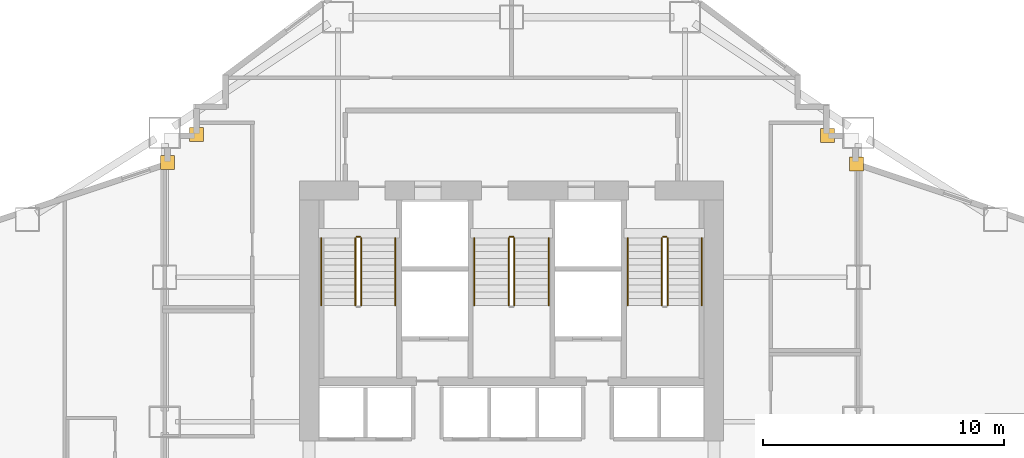
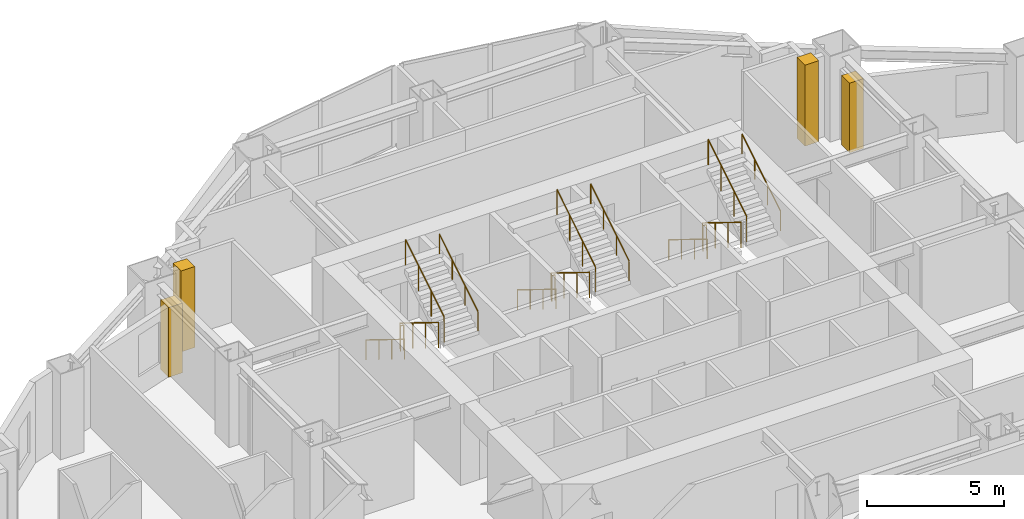
# One storey, part 16 of 17: 15 railings, 4 coverings.
"""IFC4 building model written with IfcOpenShell, lengths in metres."""

from ifc_helpers import new_model, si_unit, direction, frame, origin, origin_2d, place, context, subcontext, project, spatial, rectangle, circle, extrude, material, layer, layer_set, type_object, element, save


model = new_model("IFC4")

# Units and contexts
model_context = context("Model", 3, precision=1e-05, world=origin(), true_north=direction((0.0, 1.0)))
body_context = subcontext(model_context, "Body", "Model", "MODEL_VIEW")
ifc_project = project(units=[si_unit("LENGTHUNIT", "METRE"), si_unit("AREAUNIT", "SQUARE_METRE"), si_unit("VOLUMEUNIT", "CUBIC_METRE"), si_unit("PLANEANGLEUNIT", "RADIAN"), si_unit("MASSUNIT", "GRAM", prefix="KILO")], contexts=[model_context])

# Site, building, storey
site_placement = place(None, origin())
site = spatial("IfcSite", under=ifc_project, at=site_placement, CompositionType="ELEMENT")
building_placement = place(site_placement, origin())
building = spatial("IfcBuilding", under=site, at=building_placement, Name="Haolan Belvedere Tower", CompositionType="ELEMENT")
storey_placement = place(building_placement, frame((0.0, 0.0, 27.800048828125)))
storey = spatial("IfcBuildingStorey", under=building, at=storey_placement, Name="L06", CompositionType="ELEMENT", Elevation=27.800048828125)

# Coverings
ifc_material_1 = material(Name="Pale champagne-silver anodised aluminium rainscreen cladding", Category="aluminium")
ifc_layer = layer(ifc_material_1, 0.034912109375, Name="Pale champagne-silver anodised aluminium rainscreen cladding")
ifc_layer_set = layer_set([ifc_layer], Name="Pale champagne-silver anodised aluminium rainscreen cladding")
covering_type = type_object("IfcCoveringType", Name="COV-CLAD-35", PredefinedType="CLADDING", material=ifc_layer_set)
covering_1_placement = place(storey_placement, frame((52.72021484375, 44.300048828125, 0.0), z_axis=(0.0, 0.0, 1.0), x_axis=(1.0, 0.0, 0.0)))
element("IfcCovering", 1, at=covering_1_placement, inside=storey, type_object=covering_type, Name="L06 pale-metal serrated corner cladding trim 9", PredefinedType="CLADDING", context=body_context, shape_type="SweptSolid", body=[
    extrude(rectangle(XDim=0.580078125, YDim=0.580078125, at=origin_2d()), origin(), (0.0, 0.0, 1.0), 3.096923828125),
])
for number, where, z_axis, x_axis, name in (
    (2, (51.5224609375, 45.47998046875, 0.0), (0.0, 0.0, 1.0), (1.0, 0.0, 0.0), "L06 pale-metal serrated corner cladding trim 10"),
    (3, (25.320068359375, 45.5224609375, 0.0), (0.0, 0.0, 1.0), (1.0, 0.0, 0.0), "L06 pale-metal serrated corner cladding trim 11"),
):
    element("IfcCovering", number, at=place(storey_placement, frame(where, z_axis=z_axis, x_axis=x_axis)), inside=storey, type_object=covering_type, Name=name, PredefinedType="CLADDING", context=body_context, shape_type="SweptSolid", body=[
        extrude(rectangle(XDim=0.580078125, YDim=0.580078125, at=origin_2d()), origin(), (0.0, 0.0, 1.0), 3.60009765625),
    ])
covering_2_placement = place(storey_placement, frame((24.1201171875, 44.35595703125, 0.0), z_axis=(0.0, 0.0, 1.0), x_axis=(1.0, 0.0, 0.0)))
element("IfcCovering", 4, at=covering_2_placement, inside=storey, type_object=covering_type, Name="L06 pale-metal serrated corner cladding trim 12", PredefinedType="CLADDING", context=body_context, shape_type="SweptSolid", body=[
    extrude(rectangle(XDim=0.580078125, YDim=0.580078125, at=origin_2d()), origin(), (0.0, 0.0, 1.0), 3.096923828125),
])

# Railings
ifc_material_2 = material(Name="Brushed stainless steel 304", Category="steel")
railing_type_1 = type_object("IfcRailingType", Name="RL-STAIR-GRD-1150", PredefinedType="GUARDRAIL", material=ifc_material_2)
railing_1_placement = place(storey_placement, frame((31.919921875, 41.22998046875, 0.172607421875)))
element("IfcRailing", 5, at=railing_1_placement, inside=storey, type_object=railing_type_1, Name="L06 ST1 stair guard 1", PredefinedType="GUARDRAIL", context=body_context, shape_type="SweptSolid", body=[
    extrude(circle(Radius=0.02392578125, at=origin_2d()), frame((0.0, 0.0, 1.1259765625), z_axis=(0.0, -0.851089632645, 0.525020415988), x_axis=(1.0, 0.0, 0.0)), (0.0, 0.0, 1.0), 3.2900390625),
    extrude(circle(Radius=0.02099609375, at=origin_2d()), origin(), (0.0, 0.0, 1.0), 1.101806640625),
    extrude(circle(Radius=0.02099609375, at=origin_2d()), frame((0.0, -0.933349609375, 0.57568359375)), (0.0, 0.0, 1.0), 1.101806640625),
    extrude(circle(Radius=0.02099609375, at=origin_2d()), frame((0.0, -1.86669921875, 1.151611328125)), (0.0, 0.0, 1.0), 1.101806640625),
    extrude(circle(Radius=0.02099609375, at=origin_2d()), frame((0.0, -2.800048828125, 1.727294921875)), (0.0, 0.0, 1.0), 1.101806640625),
])
railing_2_placement = place(storey_placement, frame((32.159912109375, 38.429931640625, 2.07275390625)))
element("IfcRailing", 6, at=railing_2_placement, inside=storey, type_object=railing_type_1, Name="L06 ST1 stair guard 3", PredefinedType="GUARDRAIL", context=body_context, shape_type="SweptSolid", body=[
    extrude(circle(Radius=0.02392578125, at=origin_2d()), frame((0.0, 0.0, 1.1259765625), z_axis=(0.0, 0.851089632645, 0.525020415988), x_axis=(-1.0, 0.0, 0.0)), (0.0, 0.0, 1.0), 3.2900390625),
    extrude(circle(Radius=0.02099609375, at=origin_2d()), origin(), (0.0, 0.0, 1.0), 1.101806640625),
    extrude(circle(Radius=0.02099609375, at=origin_2d()), frame((0.0, 0.933349609375, 0.57568359375)), (0.0, 0.0, 1.0), 1.101806640625),
    extrude(circle(Radius=0.02099609375, at=origin_2d()), frame((0.0, 1.86669921875, 1.151611328125)), (0.0, 0.0, 1.0), 1.101806640625),
    extrude(circle(Radius=0.02099609375, at=origin_2d()), frame((0.0, 2.800048828125, 1.727294921875)), (0.0, 0.0, 1.0), 1.101806640625),
])
railing_3_placement = place(storey_placement, frame((31.969970703125, 41.280029296875, 0.0)))
element("IfcRailing", 7, at=railing_3_placement, inside=storey, type_object=railing_type_1, Name="L06 ST1 stair guard 4", PredefinedType="GUARDRAIL", context=body_context, shape_type="SweptSolid", body=[
    extrude(circle(Radius=0.02392578125, at=origin_2d()), frame((0.0, 0.0, 1.1259765625), z_axis=(1.0, 0.0, 0.0), x_axis=(0.0, 1.0, 0.0)), (0.0, 0.0, 1.0), 0.14013671875),
    extrude(circle(Radius=0.02099609375, at=origin_2d()), origin(), (0.0, 0.0, 1.0), 1.101806640625),
    extrude(circle(Radius=0.02099609375, at=origin_2d()), frame((0.14013671875, 0.0, 0.0)), (0.0, 0.0, 1.0), 1.101806640625),
])
railing_4_placement = place(storey_placement, frame((38.280029296875, 41.22998046875, 0.172607421875)))
element("IfcRailing", 8, at=railing_4_placement, inside=storey, type_object=railing_type_1, Name="L06 ST3 stair guard 1", PredefinedType="GUARDRAIL", context=body_context, shape_type="SweptSolid", body=[
    extrude(circle(Radius=0.02392578125, at=origin_2d()), frame((0.0, 0.0, 1.1259765625), z_axis=(0.0, -0.851089632645, 0.525020415988), x_axis=(1.0, 0.0, 0.0)), (0.0, 0.0, 1.0), 3.2900390625),
    extrude(circle(Radius=0.02099609375, at=origin_2d()), origin(), (0.0, 0.0, 1.0), 1.101806640625),
    extrude(circle(Radius=0.02099609375, at=origin_2d()), frame((0.0, -0.933349609375, 0.57568359375)), (0.0, 0.0, 1.0), 1.101806640625),
    extrude(circle(Radius=0.02099609375, at=origin_2d()), frame((0.0, -1.86669921875, 1.151611328125)), (0.0, 0.0, 1.0), 1.101806640625),
    extrude(circle(Radius=0.02099609375, at=origin_2d()), frame((0.0, -2.800048828125, 1.727294921875)), (0.0, 0.0, 1.0), 1.101806640625),
])
railing_5_placement = place(storey_placement, frame((38.52001953125, 38.429931640625, 2.07275390625)))
element("IfcRailing", 9, at=railing_5_placement, inside=storey, type_object=railing_type_1, Name="L06 ST3 stair guard 3", PredefinedType="GUARDRAIL", context=body_context, shape_type="SweptSolid", body=[
    extrude(circle(Radius=0.02392578125, at=origin_2d()), frame((0.0, 0.0, 1.1259765625), z_axis=(0.0, 0.851089632645, 0.525020415988), x_axis=(-1.0, 0.0, 0.0)), (0.0, 0.0, 1.0), 3.2900390625),
    extrude(circle(Radius=0.02099609375, at=origin_2d()), origin(), (0.0, 0.0, 1.0), 1.101806640625),
    extrude(circle(Radius=0.02099609375, at=origin_2d()), frame((0.0, 0.933349609375, 0.57568359375)), (0.0, 0.0, 1.0), 1.101806640625),
    extrude(circle(Radius=0.02099609375, at=origin_2d()), frame((0.0, 1.86669921875, 1.151611328125)), (0.0, 0.0, 1.0), 1.101806640625),
    extrude(circle(Radius=0.02099609375, at=origin_2d()), frame((0.0, 2.800048828125, 1.727294921875)), (0.0, 0.0, 1.0), 1.101806640625),
])
railing_6_placement = place(storey_placement, frame((38.330078125, 41.280029296875, 0.0)))
element("IfcRailing", 10, at=railing_6_placement, inside=storey, type_object=railing_type_1, Name="L06 ST3 stair guard 4", PredefinedType="GUARDRAIL", context=body_context, shape_type="SweptSolid", body=[
    extrude(circle(Radius=0.02392578125, at=origin_2d()), frame((0.0, 0.0, 1.1259765625), z_axis=(1.0, 0.0, 0.0), x_axis=(0.0, 1.0, 0.0)), (0.0, 0.0, 1.0), 0.139892578125),
    extrude(circle(Radius=0.02099609375, at=origin_2d()), origin(), (0.0, 0.0, 1.0), 1.101806640625),
    extrude(circle(Radius=0.02099609375, at=origin_2d()), frame((0.139892578125, 0.0, 0.0)), (0.0, 0.0, 1.0), 1.101806640625),
])
railing_7_placement = place(storey_placement, frame((44.639892578125, 41.22998046875, 0.172607421875)))
element("IfcRailing", 11, at=railing_7_placement, inside=storey, type_object=railing_type_1, Name="L06 ST2 stair guard 1", PredefinedType="GUARDRAIL", context=body_context, shape_type="SweptSolid", body=[
    extrude(circle(Radius=0.02392578125, at=origin_2d()), frame((0.0, 0.0, 1.1259765625), z_axis=(0.0, -0.851089632645, 0.525020415988), x_axis=(1.0, 0.0, 0.0)), (0.0, 0.0, 1.0), 3.2900390625),
    extrude(circle(Radius=0.02099609375, at=origin_2d()), origin(), (0.0, 0.0, 1.0), 1.101806640625),
    extrude(circle(Radius=0.02099609375, at=origin_2d()), frame((0.0, -0.933349609375, 0.57568359375)), (0.0, 0.0, 1.0), 1.101806640625),
    extrude(circle(Radius=0.02099609375, at=origin_2d()), frame((0.0, -1.86669921875, 1.151611328125)), (0.0, 0.0, 1.0), 1.101806640625),
    extrude(circle(Radius=0.02099609375, at=origin_2d()), frame((0.0, -2.800048828125, 1.727294921875)), (0.0, 0.0, 1.0), 1.101806640625),
])
railing_8_placement = place(storey_placement, frame((44.8798828125, 38.429931640625, 2.07275390625)))
element("IfcRailing", 12, at=railing_8_placement, inside=storey, type_object=railing_type_1, Name="L06 ST2 stair guard 3", PredefinedType="GUARDRAIL", context=body_context, shape_type="SweptSolid", body=[
    extrude(circle(Radius=0.02392578125, at=origin_2d()), frame((0.0, 0.0, 1.1259765625), z_axis=(0.0, 0.851089632645, 0.525020415988), x_axis=(-1.0, 0.0, 0.0)), (0.0, 0.0, 1.0), 3.2900390625),
    extrude(circle(Radius=0.02099609375, at=origin_2d()), origin(), (0.0, 0.0, 1.0), 1.101806640625),
    extrude(circle(Radius=0.02099609375, at=origin_2d()), frame((0.0, 0.933349609375, 0.57568359375)), (0.0, 0.0, 1.0), 1.101806640625),
    extrude(circle(Radius=0.02099609375, at=origin_2d()), frame((0.0, 1.86669921875, 1.151611328125)), (0.0, 0.0, 1.0), 1.101806640625),
    extrude(circle(Radius=0.02099609375, at=origin_2d()), frame((0.0, 2.800048828125, 1.727294921875)), (0.0, 0.0, 1.0), 1.101806640625),
])
railing_9_placement = place(storey_placement, frame((44.68994140625, 41.280029296875, 0.0)))
element("IfcRailing", 13, at=railing_9_placement, inside=storey, type_object=railing_type_1, Name="L06 ST2 stair guard 4", PredefinedType="GUARDRAIL", context=body_context, shape_type="SweptSolid", body=[
    extrude(circle(Radius=0.02392578125, at=origin_2d()), frame((0.0, 0.0, 1.1259765625), z_axis=(1.0, 0.0, 0.0), x_axis=(0.0, 1.0, 0.0)), (0.0, 0.0, 1.0), 0.14013671875),
    extrude(circle(Radius=0.02099609375, at=origin_2d()), origin(), (0.0, 0.0, 1.0), 1.101806640625),
    extrude(circle(Radius=0.02099609375, at=origin_2d()), frame((0.14013671875, 0.0, 0.0)), (0.0, 0.0, 1.0), 1.101806640625),
])
railing_type_2 = type_object("IfcRailingType", Name="RL-STAIR-HND-900", PredefinedType="HANDRAIL", material=ifc_material_2)
railing_10_placement = place(storey_placement, frame((30.5, 41.22998046875, 0.172607421875)))
element("IfcRailing", 14, at=railing_10_placement, inside=storey, type_object=railing_type_2, Name="L06 ST1 stair handrail 1", PredefinedType="HANDRAIL", context=body_context, shape_type="SweptSolid", body=[
    extrude(circle(Radius=0.02392578125, at=origin_2d()), frame((0.0, 0.0, 0.8759765625), z_axis=(0.0, -0.851089632645, 0.525020415988), x_axis=(1.0, 0.0, 0.0)), (0.0, 0.0, 1.0), 3.2900390625),
    extrude(circle(Radius=0.02099609375, at=origin_2d()), origin(), (0.0, 0.0, 1.0), 0.851806640625),
    extrude(circle(Radius=0.02099609375, at=origin_2d()), frame((0.0, -0.933349609375, 0.57568359375)), (0.0, 0.0, 1.0), 0.851806640625),
    extrude(circle(Radius=0.02099609375, at=origin_2d()), frame((0.0, -1.86669921875, 1.151611328125)), (0.0, 0.0, 1.0), 0.851806640625),
    extrude(circle(Radius=0.02099609375, at=origin_2d()), frame((0.0, -2.800048828125, 1.727294921875)), (0.0, 0.0, 1.0), 0.851806640625),
])
railing_11_placement = place(storey_placement, frame((33.580078125, 38.429931640625, 2.07275390625)))
element("IfcRailing", 15, at=railing_11_placement, inside=storey, type_object=railing_type_2, Name="L06 ST1 stair handrail 2", PredefinedType="HANDRAIL", context=body_context, shape_type="SweptSolid", body=[
    extrude(circle(Radius=0.02392578125, at=origin_2d()), frame((0.0, 0.0, 0.8759765625), z_axis=(0.0, 0.851089632645, 0.525020415988), x_axis=(-1.0, 0.0, 0.0)), (0.0, 0.0, 1.0), 3.2900390625),
    extrude(circle(Radius=0.02099609375, at=origin_2d()), origin(), (0.0, 0.0, 1.0), 0.851806640625),
    extrude(circle(Radius=0.02099609375, at=origin_2d()), frame((0.0, 0.933349609375, 0.57568359375)), (0.0, 0.0, 1.0), 0.851806640625),
    extrude(circle(Radius=0.02099609375, at=origin_2d()), frame((0.0, 1.86669921875, 1.151611328125)), (0.0, 0.0, 1.0), 0.851806640625),
    extrude(circle(Radius=0.02099609375, at=origin_2d()), frame((0.0, 2.800048828125, 1.727294921875)), (0.0, 0.0, 1.0), 0.851806640625),
])
railing_12_placement = place(storey_placement, frame((36.860107421875, 41.22998046875, 0.172607421875)))
element("IfcRailing", 16, at=railing_12_placement, inside=storey, type_object=railing_type_2, Name="L06 ST3 stair handrail 1", PredefinedType="HANDRAIL", context=body_context, shape_type="SweptSolid", body=[
    extrude(circle(Radius=0.02392578125, at=origin_2d()), frame((0.0, 0.0, 0.8759765625), z_axis=(0.0, -0.851089632645, 0.525020415988), x_axis=(1.0, 0.0, 0.0)), (0.0, 0.0, 1.0), 3.2900390625),
    extrude(circle(Radius=0.02099609375, at=origin_2d()), origin(), (0.0, 0.0, 1.0), 0.851806640625),
    extrude(circle(Radius=0.02099609375, at=origin_2d()), frame((0.0, -0.933349609375, 0.57568359375)), (0.0, 0.0, 1.0), 0.851806640625),
    extrude(circle(Radius=0.02099609375, at=origin_2d()), frame((0.0, -1.86669921875, 1.151611328125)), (0.0, 0.0, 1.0), 0.851806640625),
    extrude(circle(Radius=0.02099609375, at=origin_2d()), frame((0.0, -2.800048828125, 1.727294921875)), (0.0, 0.0, 1.0), 0.851806640625),
])
railing_13_placement = place(storey_placement, frame((39.93994140625, 38.429931640625, 2.07275390625)))
element("IfcRailing", 17, at=railing_13_placement, inside=storey, type_object=railing_type_2, Name="L06 ST3 stair handrail 2", PredefinedType="HANDRAIL", context=body_context, shape_type="SweptSolid", body=[
    extrude(circle(Radius=0.02392578125, at=origin_2d()), frame((0.0, 0.0, 0.8759765625), z_axis=(0.0, 0.851089632645, 0.525020415988), x_axis=(-1.0, 0.0, 0.0)), (0.0, 0.0, 1.0), 3.2900390625),
    extrude(circle(Radius=0.02099609375, at=origin_2d()), origin(), (0.0, 0.0, 1.0), 0.851806640625),
    extrude(circle(Radius=0.02099609375, at=origin_2d()), frame((0.0, 0.933349609375, 0.57568359375)), (0.0, 0.0, 1.0), 0.851806640625),
    extrude(circle(Radius=0.02099609375, at=origin_2d()), frame((0.0, 1.86669921875, 1.151611328125)), (0.0, 0.0, 1.0), 0.851806640625),
    extrude(circle(Radius=0.02099609375, at=origin_2d()), frame((0.0, 2.800048828125, 1.727294921875)), (0.0, 0.0, 1.0), 0.851806640625),
])
railing_14_placement = place(storey_placement, frame((43.219970703125, 41.22998046875, 0.172607421875)))
element("IfcRailing", 18, at=railing_14_placement, inside=storey, type_object=railing_type_2, Name="L06 ST2 stair handrail 1", PredefinedType="HANDRAIL", context=body_context, shape_type="SweptSolid", body=[
    extrude(circle(Radius=0.02392578125, at=origin_2d()), frame((0.0, 0.0, 0.8759765625), z_axis=(0.0, -0.851089632645, 0.525020415988), x_axis=(1.0, 0.0, 0.0)), (0.0, 0.0, 1.0), 3.2900390625),
    extrude(circle(Radius=0.02099609375, at=origin_2d()), origin(), (0.0, 0.0, 1.0), 0.851806640625),
    extrude(circle(Radius=0.02099609375, at=origin_2d()), frame((0.0, -0.933349609375, 0.57568359375)), (0.0, 0.0, 1.0), 0.851806640625),
    extrude(circle(Radius=0.02099609375, at=origin_2d()), frame((0.0, -1.86669921875, 1.151611328125)), (0.0, 0.0, 1.0), 0.851806640625),
    extrude(circle(Radius=0.02099609375, at=origin_2d()), frame((0.0, -2.800048828125, 1.727294921875)), (0.0, 0.0, 1.0), 0.851806640625),
])
railing_15_placement = place(storey_placement, frame((46.300048828125, 38.429931640625, 2.07275390625)))
element("IfcRailing", 19, at=railing_15_placement, inside=storey, type_object=railing_type_2, Name="L06 ST2 stair handrail 2", PredefinedType="HANDRAIL", context=body_context, shape_type="SweptSolid", body=[
    extrude(circle(Radius=0.02392578125, at=origin_2d()), frame((0.0, 0.0, 0.8759765625), z_axis=(0.0, 0.851089632645, 0.525020415988), x_axis=(-1.0, 0.0, 0.0)), (0.0, 0.0, 1.0), 3.2900390625),
    extrude(circle(Radius=0.02099609375, at=origin_2d()), origin(), (0.0, 0.0, 1.0), 0.851806640625),
    extrude(circle(Radius=0.02099609375, at=origin_2d()), frame((0.0, 0.933349609375, 0.57568359375)), (0.0, 0.0, 1.0), 0.851806640625),
    extrude(circle(Radius=0.02099609375, at=origin_2d()), frame((0.0, 1.86669921875, 1.151611328125)), (0.0, 0.0, 1.0), 0.851806640625),
    extrude(circle(Radius=0.02099609375, at=origin_2d()), frame((0.0, 2.800048828125, 1.727294921875)), (0.0, 0.0, 1.0), 0.851806640625),
])

save(model, "model.ifc")
